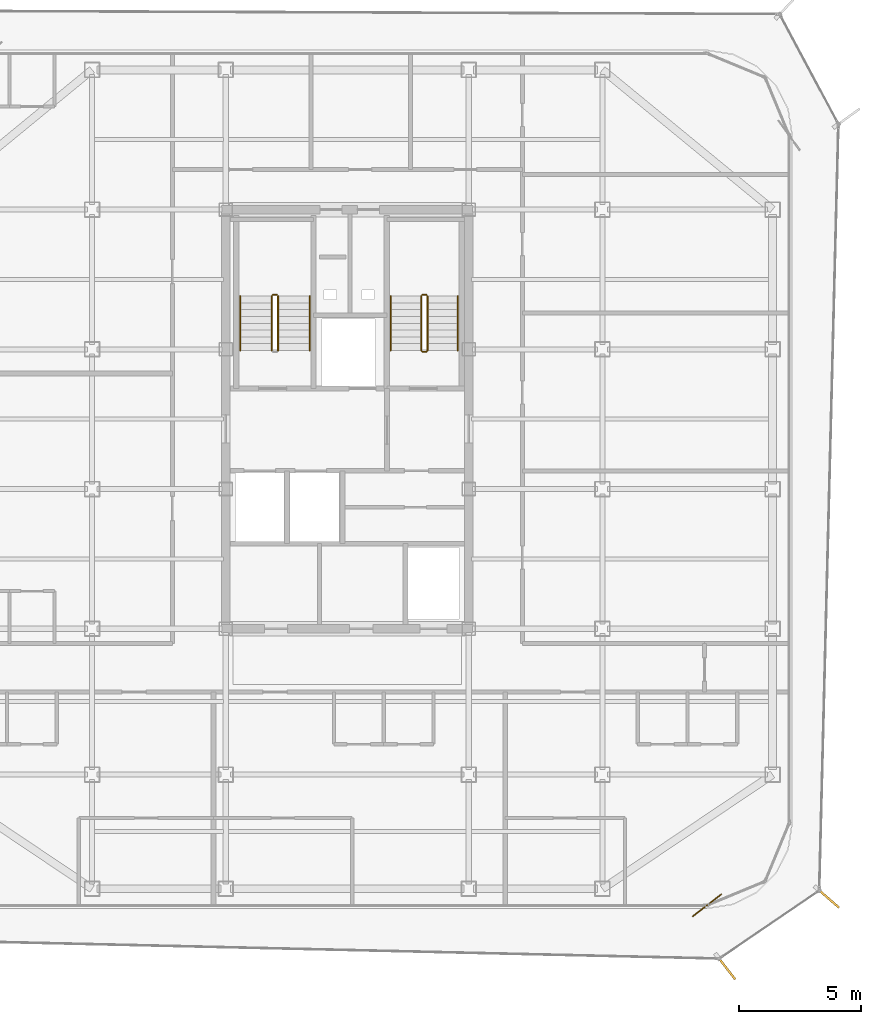
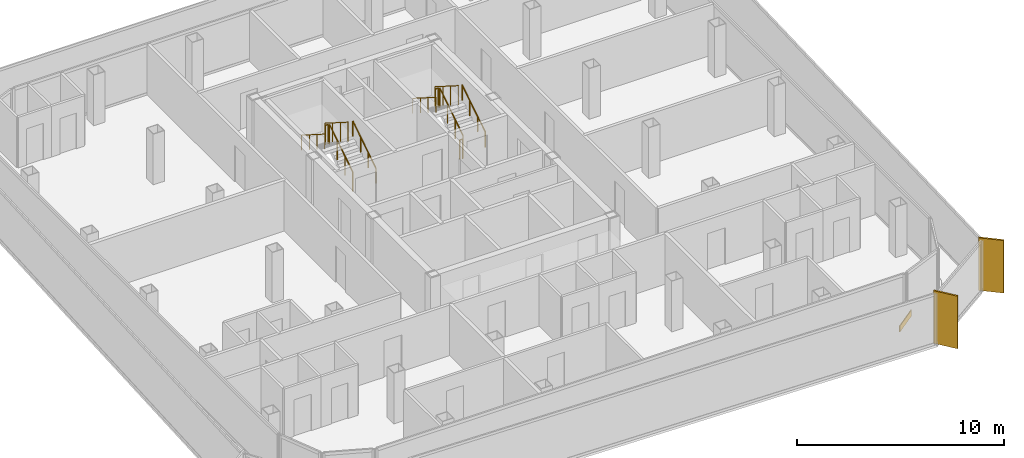
# One storey, part 14 of 15: 11 railings, 2 shading devices, 1 covering.
"""IFC4 building model written with IfcOpenShell, lengths in metres."""

from ifc_helpers import new_model, si_unit, direction, frame, origin, origin_2d, place, context, subcontext, project, spatial, rectangle, circle, extrude, source, transform, mapped, material, layer, layer_set, type_object, element, save


model = new_model("IFC4")

# Units and contexts
model_context = context("Model", 3, precision=1e-05, world=origin(), true_north=direction((0.0, 1.0)))
body_context = subcontext(model_context, "Body", "Model", "MODEL_VIEW")
ifc_project = project(units=[si_unit("LENGTHUNIT", "METRE"), si_unit("AREAUNIT", "SQUARE_METRE"), si_unit("VOLUMEUNIT", "CUBIC_METRE"), si_unit("PLANEANGLEUNIT", "RADIAN"), si_unit("MASSUNIT", "GRAM", prefix="KILO")], contexts=[model_context])

# Site, building, storey
site_placement = place(None, origin())
site = spatial("IfcSite", under=ifc_project, at=site_placement, CompositionType="ELEMENT")
building_placement = place(site_placement, origin())
building = spatial("IfcBuilding", under=site, at=building_placement, Name="Kolveth Station Tower", CompositionType="ELEMENT")
storey_placement = place(building_placement, frame((0.0, 0.0, 220.10009765625)))
storey = spatial("IfcBuildingStorey", under=building, at=storey_placement, Name="L62", CompositionType="ELEMENT", Elevation=220.10009765625)

# Railings
ifc_material_1 = material(Name="Painted Steel S355 balustrade", Category="steel")
railing_type_1 = type_object("IfcRailingType", Name="Guard_GR2", PredefinedType="BALUSTRADE", material=ifc_material_1)
railing_1_placement = place(storey_placement, frame((20.64990234375, 22.949951171875, 0.177734375)))
element("IfcRailing", 1, at=railing_1_placement, inside=storey, type_object=railing_type_1, Name="L62 ST1 stair guard 1", PredefinedType="BALUSTRADE", context=body_context, shape_type="SweptSolid", body=[
    extrude(circle(Radius=0.02392578125, at=origin_2d()), frame((0.0, 0.0, 1.1259765625), z_axis=(0.0, 0.8442293374, 0.53598211339), x_axis=(-1.0, 0.0, 0.0)), (0.0, 0.0, 1.0), 2.6533203125),
    extrude(circle(Radius=0.02099609375, at=origin_2d()), origin(), (0.0, 0.0, 1.0), 1.101806640625),
    extrude(circle(Radius=0.02099609375, at=origin_2d()), frame((0.0, 0.74658203125, 0.47412109375)), (0.0, 0.0, 1.0), 1.101806640625),
    extrude(circle(Radius=0.02099609375, at=origin_2d()), frame((0.0, 1.493408203125, 0.947998046875)), (0.0, 0.0, 1.0), 1.101806640625),
    extrude(circle(Radius=0.02099609375, at=origin_2d()), frame((0.0, 2.239990234375, 1.422119140625)), (0.0, 0.0, 1.0), 1.101806640625),
])
railing_2_placement = place(storey_placement, frame((20.60009765625, 25.239990234375, 1.599853515625)))
element("IfcRailing", 2, at=railing_2_placement, inside=storey, type_object=railing_type_1, Name="L62 ST1 stair guard 2", PredefinedType="BALUSTRADE", context=body_context, shape_type="SweptSolid", body=[
    extrude(circle(Radius=0.02392578125, at=origin_2d()), frame((0.0, 0.0, 1.1259765625), z_axis=(-1.0, 0.0, 0.0), x_axis=(0.0, -1.0, 0.0)), (0.0, 0.0, 1.0), 0.16015625),
    extrude(circle(Radius=0.02099609375, at=origin_2d()), origin(), (0.0, 0.0, 1.0), 1.101806640625),
    extrude(circle(Radius=0.02099609375, at=origin_2d()), frame((-0.16015625, 0.0, 0.0)), (0.0, 0.0, 1.0), 1.101806640625),
])
railing_3_placement = place(storey_placement, frame((20.389892578125, 25.18994140625, 1.777587890625)))
element("IfcRailing", 3, at=railing_3_placement, inside=storey, type_object=railing_type_1, Name="L62 ST1 stair guard 3", PredefinedType="BALUSTRADE", context=body_context, shape_type="SweptSolid", body=[
    extrude(circle(Radius=0.02392578125, at=origin_2d()), frame((0.0, 0.0, 1.1259765625), z_axis=(0.0, -0.84418770128, 0.536047689118), x_axis=(1.0, 0.0, 0.0)), (0.0, 0.0, 1.0), 2.6533203125),
    extrude(circle(Radius=0.02099609375, at=origin_2d()), origin(), (0.0, 0.0, 1.0), 1.101806640625),
    extrude(circle(Radius=0.02099609375, at=origin_2d()), frame((0.0, -0.74658203125, 0.47412109375)), (0.0, 0.0, 1.0), 1.101806640625),
    extrude(circle(Radius=0.02099609375, at=origin_2d()), frame((0.0, -1.493408203125, 0.9482421875)), (0.0, 0.0, 1.0), 1.101806640625),
    extrude(circle(Radius=0.02099609375, at=origin_2d()), frame((0.0, -2.239990234375, 1.42236328125)), (0.0, 0.0, 1.0), 1.101806640625),
])
railing_4_placement = place(storey_placement, frame((26.800048828125, 22.949951171875, 0.177734375)))
element("IfcRailing", 4, at=railing_4_placement, inside=storey, type_object=railing_type_1, Name="L62 ST2 stair guard 1", PredefinedType="BALUSTRADE", context=body_context, shape_type="SweptSolid", body=[
    extrude(circle(Radius=0.02392578125, at=origin_2d()), frame((0.0, 0.0, 1.1259765625), z_axis=(0.0, 0.8442293374, 0.53598211339), x_axis=(-1.0, 0.0, 0.0)), (0.0, 0.0, 1.0), 2.6533203125),
    extrude(circle(Radius=0.02099609375, at=origin_2d()), origin(), (0.0, 0.0, 1.0), 1.101806640625),
    extrude(circle(Radius=0.02099609375, at=origin_2d()), frame((0.0, 0.74658203125, 0.47412109375)), (0.0, 0.0, 1.0), 1.101806640625),
    extrude(circle(Radius=0.02099609375, at=origin_2d()), frame((0.0, 1.493408203125, 0.947998046875)), (0.0, 0.0, 1.0), 1.101806640625),
    extrude(circle(Radius=0.02099609375, at=origin_2d()), frame((0.0, 2.239990234375, 1.422119140625)), (0.0, 0.0, 1.0), 1.101806640625),
])
railing_5_placement = place(storey_placement, frame((26.75, 25.239990234375, 1.599853515625)))
element("IfcRailing", 5, at=railing_5_placement, inside=storey, type_object=railing_type_1, Name="L62 ST2 stair guard 2", PredefinedType="BALUSTRADE", context=body_context, shape_type="SweptSolid", body=[
    extrude(circle(Radius=0.02392578125, at=origin_2d()), frame((0.0, 0.0, 1.1259765625), z_axis=(-1.0, 0.0, 0.0), x_axis=(0.0, -1.0, 0.0)), (0.0, 0.0, 1.0), 0.159912109375),
    extrude(circle(Radius=0.02099609375, at=origin_2d()), origin(), (0.0, 0.0, 1.0), 1.101806640625),
    extrude(circle(Radius=0.02099609375, at=origin_2d()), frame((-0.159912109375, 0.0, 0.0)), (0.0, 0.0, 1.0), 1.101806640625),
])
railing_6_placement = place(storey_placement, frame((26.5400390625, 25.18994140625, 1.777587890625)))
element("IfcRailing", 6, at=railing_6_placement, inside=storey, type_object=railing_type_1, Name="L62 ST2 stair guard 3", PredefinedType="BALUSTRADE", context=body_context, shape_type="SweptSolid", body=[
    extrude(circle(Radius=0.02392578125, at=origin_2d()), frame((0.0, 0.0, 1.1259765625), z_axis=(0.0, -0.84418770128, 0.536047689118), x_axis=(1.0, 0.0, 0.0)), (0.0, 0.0, 1.0), 2.6533203125),
    extrude(circle(Radius=0.02099609375, at=origin_2d()), origin(), (0.0, 0.0, 1.0), 1.101806640625),
    extrude(circle(Radius=0.02099609375, at=origin_2d()), frame((0.0, -0.74658203125, 0.47412109375)), (0.0, 0.0, 1.0), 1.101806640625),
    extrude(circle(Radius=0.02099609375, at=origin_2d()), frame((0.0, -1.493408203125, 0.9482421875)), (0.0, 0.0, 1.0), 1.101806640625),
    extrude(circle(Radius=0.02099609375, at=origin_2d()), frame((0.0, -2.239990234375, 1.42236328125)), (0.0, 0.0, 1.0), 1.101806640625),
])
railing_7_placement = place(storey_placement, frame((26.75, 22.89990234375, 0.0)))
element("IfcRailing", 7, at=railing_7_placement, inside=storey, type_object=railing_type_1, Name="L62 ST2 stair guard 4", PredefinedType="BALUSTRADE", context=body_context, shape_type="SweptSolid", body=[
    extrude(circle(Radius=0.02392578125, at=origin_2d()), frame((0.0, 0.0, 1.1259765625), z_axis=(-1.0, 0.0, 0.0), x_axis=(0.0, -1.0, 0.0)), (0.0, 0.0, 1.0), 0.159912109375),
    extrude(circle(Radius=0.02099609375, at=origin_2d()), origin(), (0.0, 0.0, 1.0), 1.101806640625),
    extrude(circle(Radius=0.02099609375, at=origin_2d()), frame((-0.159912109375, 0.0, 0.0)), (0.0, 0.0, 1.0), 1.101806640625),
])
ifc_material_2 = material(Name="Brushed stainless steel", Category="steel")
railing_type_2 = type_object("IfcRailingType", Name="Handrail_HR1", PredefinedType="HANDRAIL", material=ifc_material_2)
railing_8_placement = place(storey_placement, frame((21.949951171875, 22.949951171875, 0.177734375)))
element("IfcRailing", 8, at=railing_8_placement, inside=storey, type_object=railing_type_2, Name="L62 ST1 stair handrail 1", PredefinedType="HANDRAIL", context=body_context, shape_type="SweptSolid", body=[
    extrude(circle(Radius=0.02392578125, at=origin_2d()), frame((0.0, 0.0, 0.8759765625), z_axis=(0.0, 0.8442293374, 0.53598211339), x_axis=(-1.0, 0.0, 0.0)), (0.0, 0.0, 1.0), 2.6533203125),
    extrude(circle(Radius=0.02099609375, at=origin_2d()), origin(), (0.0, 0.0, 1.0), 0.851806640625),
    extrude(circle(Radius=0.02099609375, at=origin_2d()), frame((0.0, 0.74658203125, 0.47412109375)), (0.0, 0.0, 1.0), 0.851806640625),
    extrude(circle(Radius=0.02099609375, at=origin_2d()), frame((0.0, 1.493408203125, 0.947998046875)), (0.0, 0.0, 1.0), 0.851806640625),
    extrude(circle(Radius=0.02099609375, at=origin_2d()), frame((0.0, 2.239990234375, 1.422119140625)), (0.0, 0.0, 1.0), 0.851806640625),
])
railing_9_placement = place(storey_placement, frame((19.090087890625, 25.18994140625, 1.777587890625)))
element("IfcRailing", 9, at=railing_9_placement, inside=storey, type_object=railing_type_2, Name="L62 ST1 stair handrail 2", PredefinedType="HANDRAIL", context=body_context, shape_type="SweptSolid", body=[
    extrude(circle(Radius=0.02392578125, at=origin_2d()), frame((0.0, 0.0, 0.8759765625), z_axis=(0.0, -0.84418770128, 0.536047689118), x_axis=(1.0, 0.0, 0.0)), (0.0, 0.0, 1.0), 2.6533203125),
    extrude(circle(Radius=0.02099609375, at=origin_2d()), origin(), (0.0, 0.0, 1.0), 0.851806640625),
    extrude(circle(Radius=0.02099609375, at=origin_2d()), frame((0.0, -0.74658203125, 0.47412109375)), (0.0, 0.0, 1.0), 0.851806640625),
    extrude(circle(Radius=0.02099609375, at=origin_2d()), frame((0.0, -1.493408203125, 0.9482421875)), (0.0, 0.0, 1.0), 0.851806640625),
    extrude(circle(Radius=0.02099609375, at=origin_2d()), frame((0.0, -2.239990234375, 1.42236328125)), (0.0, 0.0, 1.0), 0.851806640625),
])
railing_10_placement = place(storey_placement, frame((28.050048828125, 22.949951171875, 0.177734375)))
element("IfcRailing", 10, at=railing_10_placement, inside=storey, type_object=railing_type_2, Name="L62 ST2 stair handrail 1", PredefinedType="HANDRAIL", context=body_context, shape_type="SweptSolid", body=[
    extrude(circle(Radius=0.02392578125, at=origin_2d()), frame((0.0, 0.0, 0.8759765625), z_axis=(0.0, 0.8442293374, 0.53598211339), x_axis=(-1.0, 0.0, 0.0)), (0.0, 0.0, 1.0), 2.6533203125),
    extrude(circle(Radius=0.02099609375, at=origin_2d()), origin(), (0.0, 0.0, 1.0), 0.851806640625),
    extrude(circle(Radius=0.02099609375, at=origin_2d()), frame((0.0, 0.74658203125, 0.47412109375)), (0.0, 0.0, 1.0), 0.851806640625),
    extrude(circle(Radius=0.02099609375, at=origin_2d()), frame((0.0, 1.493408203125, 0.947998046875)), (0.0, 0.0, 1.0), 0.851806640625),
    extrude(circle(Radius=0.02099609375, at=origin_2d()), frame((0.0, 2.239990234375, 1.422119140625)), (0.0, 0.0, 1.0), 0.851806640625),
])
railing_11_placement = place(storey_placement, frame((25.2900390625, 25.18994140625, 1.777587890625)))
element("IfcRailing", 11, at=railing_11_placement, inside=storey, type_object=railing_type_2, Name="L62 ST2 stair handrail 2", PredefinedType="HANDRAIL", context=body_context, shape_type="SweptSolid", body=[
    extrude(circle(Radius=0.02392578125, at=origin_2d()), frame((0.0, 0.0, 0.8759765625), z_axis=(0.0, -0.84418770128, 0.536047689118), x_axis=(1.0, 0.0, 0.0)), (0.0, 0.0, 1.0), 2.6533203125),
    extrude(circle(Radius=0.02099609375, at=origin_2d()), origin(), (0.0, 0.0, 1.0), 0.851806640625),
    extrude(circle(Radius=0.02099609375, at=origin_2d()), frame((0.0, -0.74658203125, 0.47412109375)), (0.0, 0.0, 1.0), 0.851806640625),
    extrude(circle(Radius=0.02099609375, at=origin_2d()), frame((0.0, -1.493408203125, 0.9482421875)), (0.0, 0.0, 1.0), 0.851806640625),
    extrude(circle(Radius=0.02099609375, at=origin_2d()), frame((0.0, -2.239990234375, 1.42236328125)), (0.0, 0.0, 1.0), 0.851806640625),
])

# Shading devices
ifc_material_3 = material(Name="Black anodized aluminium 6063-T6", Category="aluminium")
shading_device_type = type_object("IfcShadingDeviceType", Name="FIN_VF1", PredefinedType="USERDEFINED", material=ifc_material_3)
shared_shape_1 = source(origin(), body_context, "Body", "SweptSolid", [
    extrude(rectangle(XDim=1.25, YDim=0.090087890625, at=origin_2d()), origin(), (0.0, 0.0, 1.0), 3.10009765625),
])
for number, where, z_axis, x_axis, name in (
    (12, (39.077880859375, -2.430908203125, -0.000244140625), (0.0, 0.0, 1.0), (0.612907053653, -0.790155012376, 0.0), "L62 Dark-Aluminium Solar Fin 1"),
    (13, (43.264892578125, 0.43408203125, -0.000244140625), (0.0, 0.0, 1.0), (0.754022143124, -0.656848999146, 0.0), "L62 Dark-Aluminium Solar Fin 2"),
):
    element("IfcShadingDevice", number, at=place(storey_placement, frame(where, z_axis=z_axis, x_axis=x_axis)), inside=storey, type_object=shading_device_type, Name=name, ObjectType="FIN", PredefinedType="USERDEFINED", context=body_context, shape_type="MappedRepresentation", body=[
        mapped(shared_shape_1, transform((0.0, 0.0, 0.0), x_axis=(1.0, 0.0, 0.0), y_axis=(0.0, 1.0, 0.0), z_axis=(0.0, 0.0, 1.0), scale=1.0)),
    ])

# Covering
ifc_material_4 = material(Name="Charcoal anodized aluminium spandrel cladding", Category="aluminium")
ifc_layer = layer(ifc_material_4, 0.044921875)
ifc_layer_set = layer_set([ifc_layer], Name="Charcoal anodized aluminium spandrel cladding")
covering_type = type_object("IfcCoveringType", Name="Clad_CD1", PredefinedType="CLADDING", material=ifc_layer_set)
shared_shape_2 = source(origin(), body_context, "Body", "SweptSolid", [
    extrude(rectangle(XDim=1.5, YDim=0.044921875, at=origin_2d()), origin(), (0.0, 0.0, 1.0), 0.360107421875),
])
covering_placement = place(storey_placement, frame((38.300048828125, 0.1201171875, 0.0), z_axis=(0.0, 0.0, 1.0), x_axis=(0.790155012376, 0.612907053653, 0.0)))
element("IfcCovering", 14, at=covering_placement, inside=storey, type_object=covering_type, Name="L62 Spandrel Edge Cladding 1", PredefinedType="CLADDING", context=body_context, shape_type="MappedRepresentation", body=[
    mapped(shared_shape_2, transform((0.0, 0.0, 0.0), x_axis=(1.0, 0.0, 0.0), y_axis=(0.0, 1.0, 0.0), z_axis=(0.0, 0.0, 1.0), scale=1.0)),
])

save(model, "model.ifc")
